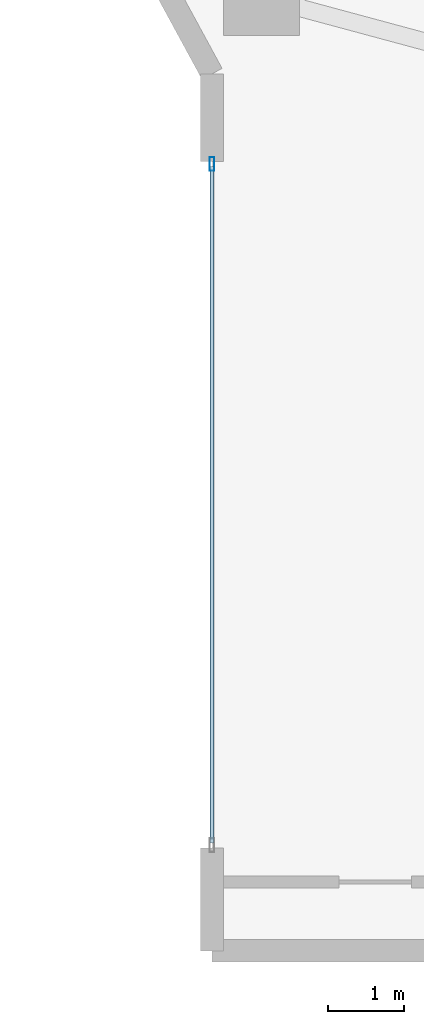
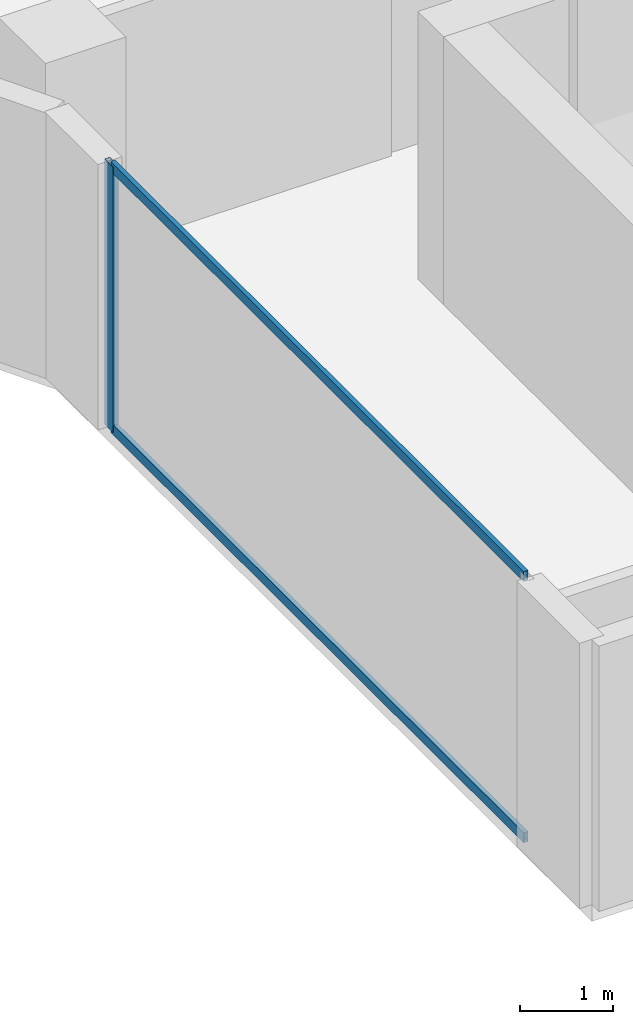
# One storey, part 3 of 25: 3 members, 1 element without a shape of its own.
"""IFC4 building model written with IfcOpenShell, lengths in metres."""

from ifc_helpers import new_model, si_unit, direction, frame, origin, origin_2d, place, context, subcontext, project, spatial, hollow_rectangle, extrude, material, layer, layer_set, material_profile, profile_set, type_object, element, aggregate, save


model = new_model("IFC4")

# Units and contexts
model_context = context("Model", 3, precision=1e-05, world=origin(), true_north=direction((0.0, 1.0)))
body_context = subcontext(model_context, "Body", "Model", "MODEL_VIEW")
ifc_project = project(units=[si_unit("LENGTHUNIT", "METRE"), si_unit("AREAUNIT", "SQUARE_METRE"), si_unit("VOLUMEUNIT", "CUBIC_METRE"), si_unit("PLANEANGLEUNIT", "RADIAN"), si_unit("MASSUNIT", "GRAM", prefix="KILO")], contexts=[model_context])

# Site, building, storey
site_placement = place(None, origin())
site = spatial("IfcSite", under=ifc_project, at=site_placement, CompositionType="ELEMENT")
building_placement = place(site_placement, origin())
building = spatial("IfcBuilding", under=site, at=building_placement, Name="Zuhayl Quay Hotel", CompositionType="ELEMENT")
storey_placement = place(building_placement, frame((0.0, 0.0, 250.75)))
storey = spatial("IfcBuildingStorey", under=building, at=storey_placement, Name="L63", CompositionType="ELEMENT", Elevation=250.75)

# Curtain wall, members
ifc_material_1 = material(Name="Anodised Aluminium 6063-T6", Category="aluminium")
ifc_layer = layer(ifc_material_1, 0.169921875, Name="Anodised Aluminium 6063-T6", Category="aluminium")
ifc_layer_set = layer_set([ifc_layer], Name="Anodised Aluminium 6063-T6")
curtain_wall_type = type_object("IfcCurtainWallType", Name="CW_SYS_Z4", PredefinedType="USERDEFINED", material=ifc_layer_set)
curtain_wall_placement = place(storey_placement, origin())
curtain_wall = element("IfcCurtainWall", 1, at=curtain_wall_placement, inside=storey, type_object=curtain_wall_type, Name="L63 Curtain Wall ENV_L63_E02_CW1", ObjectType="UNITISED CURTAIN WALL", PredefinedType="USERDEFINED")
ifc_material_2 = material(Name="Black-anodised aluminium 6063-T6", Category="aluminium")
ifc_material_profile_1 = material_profile(ifc_material_2, hollow_rectangle(XDim=0.06494140625, YDim=0.179931640625, WallThickness=0.00341796875, at=origin_2d()), Name="ALU180X65")
ifc_profile_set_1 = profile_set([ifc_material_profile_1], Name="Black-anodised aluminium 6063-T6")
member_type_1 = type_object("IfcMemberType", Name="MB_CW_MUL_180", PredefinedType="MULLION", material=ifc_profile_set_1)
member_1_placement = place(storey_placement, frame((-20.199951171875, 13.717529296875, 0.0), z_axis=(0.0, 0.0, 1.0), x_axis=(-1.0, 0.0, 0.0)))
member_1 = element("IfcMember", 2, at=member_1_placement, type_object=member_type_1, Name="CW-Z4 mullion 2", PredefinedType="MULLION", context=body_context, shape_type="SweptSolid", body=[
    extrude(hollow_rectangle(XDim=0.06494140625, YDim=0.179931640625, WallThickness=0.00341796875, at=origin_2d()), origin(), (0.0, 0.0, 1.0), 3.47998046875),
])
ifc_material_profile_2 = material_profile(ifc_material_2, hollow_rectangle(XDim=0.054931640625, YDim=0.1298828125, WallThickness=0.0029296875, at=origin_2d()), Name="ALU130X55")
ifc_profile_set_2 = profile_set([ifc_material_profile_2], Name="Black-anodised aluminium 6063-T6")
member_type_2 = type_object("IfcMemberType", Name="MB_CW_TRN_130", PredefinedType="USERDEFINED", material=ifc_profile_set_2)
member_2_placement = place(storey_placement, frame((-20.199951171875, 4.81494140625, 0.027587890625), z_axis=(0.0, 1.0, 0.0), x_axis=(-1.0, 0.0, 0.0)))
member_2 = element("IfcMember", 3, at=member_2_placement, type_object=member_type_2, Name="CW-Z4 transom 1.1", ObjectType="TRANSOM", PredefinedType="USERDEFINED", context=body_context, shape_type="SweptSolid", body=[
    extrude(hollow_rectangle(XDim=0.054931640625, YDim=0.1298828125, WallThickness=0.0029296875, at=origin_2d()), origin(), (0.0, 0.0, 1.0), 8.8701171875),
])
member_3_placement = place(storey_placement, frame((-20.199951171875, 4.81494140625, 3.452392578125), z_axis=(0.0, 1.0, 0.0), x_axis=(-1.0, 0.0, 0.0)))
member_3 = element("IfcMember", 4, at=member_3_placement, type_object=member_type_2, Name="CW-Z4 transom 1.2", ObjectType="TRANSOM", PredefinedType="USERDEFINED", context=body_context, shape_type="SweptSolid", body=[
    extrude(hollow_rectangle(XDim=0.054931640625, YDim=0.1298828125, WallThickness=0.0029296875, at=origin_2d()), origin(), (0.0, 0.0, 1.0), 8.8701171875),
])
aggregate(curtain_wall, [member_1, member_2, member_3])

save(model, "model.ifc")
